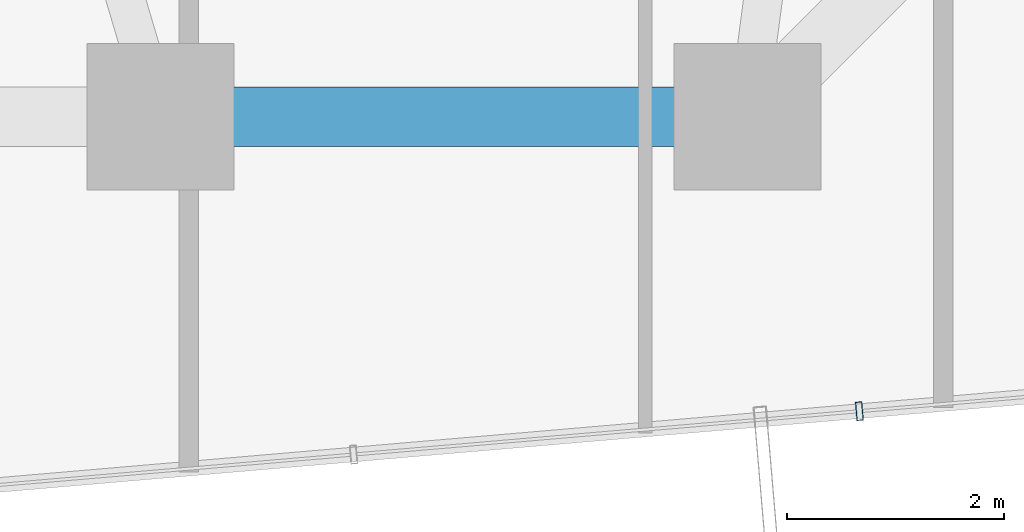
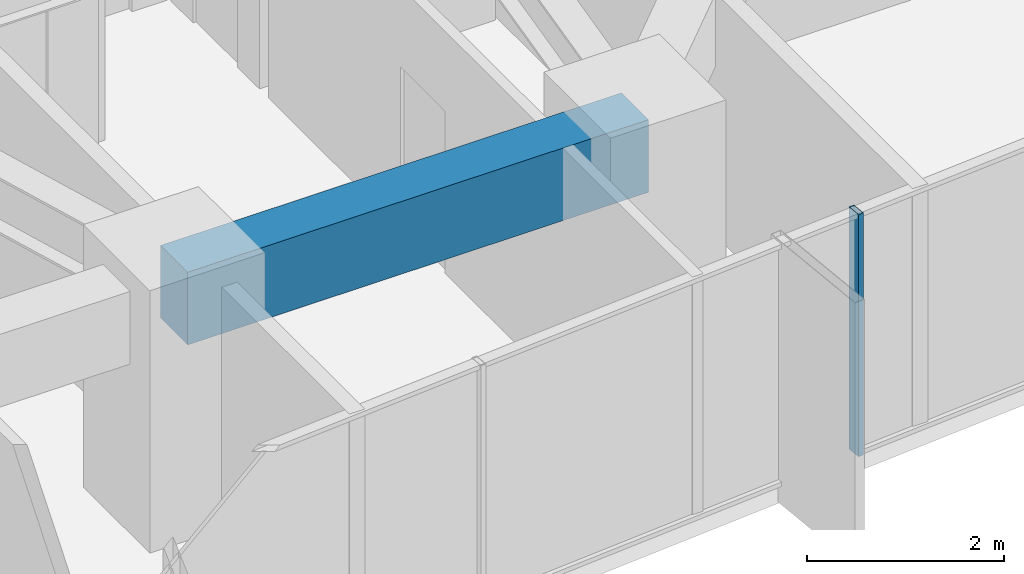
# One storey, part 8 of 37: 1 beam, 1 member, 1 element without a shape of its own.
"""IFC4 building model written with IfcOpenShell, lengths in metres."""

import ifcopenshell
import ifcopenshell.guid

model = None  # the IFC model being written
_history = None  # IfcOwnerHistory: only IFC2X3 demands one
_inside = {}  # id of a spatial element -> (the spatial element, [elements in it])
_under = {}  # id of a project, library or spatial element -> (it, [spatial elements below it])
_declared = {}  # id of a project -> (the project, [libraries it declares])
_typed = {}  # id of a type object -> (the type object, [elements of that type])
_made_of = {}  # id of a material, layer set ... -> (it, [elements and type objects made of it])


def new_model(schema):
    """Start an empty IFC model of exactly this schema.

    Asked for "IFC4X3", IfcOpenShell would pick the latest addendum, in which some entities
    have other attributes; the version numbers below select the first issue.
    IFC2X3 requires an IfcOwnerHistory on every rooted entity: one is made here for all.
    """
    global model, _history
    if schema == "IFC4X3":
        model = ifcopenshell.file(schema_version=(4, 3, 0, 0))
    else:
        model = ifcopenshell.file(schema=schema)
    _inside.clear()
    _under.clear()
    _declared.clear()
    _typed.clear()
    _made_of.clear()
    _history = None
    if model.schema == "IFC2X3":
        org = make("IfcOrganization", Name="unknown")
        user = make(
            "IfcPersonAndOrganization",
            ThePerson=make("IfcPerson", FamilyName="unknown"),
            TheOrganization=org,
        )
        app = make(
            "IfcApplication",
            ApplicationDeveloper=org,
            Version="unknown",
            ApplicationFullName="unknown",
            ApplicationIdentifier="unknown",
        )
        _history = make(
            "IfcOwnerHistory",
            OwningUser=user,
            OwningApplication=app,
            ChangeAction="ADDED",
            CreationDate=0,
        )
    return model


def make(cls, **values):
    """One entity of the class cls with the attributes given. An attribute that is None is left unset."""
    return model.create_entity(
        cls, **{name: value for name, value in values.items() if value is not None}
    )


def rooted(cls, **values):
    """An entity with a GlobalId (a new one), such as an element, a storey or a relation."""
    return make(cls, GlobalId=ifcopenshell.guid.new(), OwnerHistory=_history, **values)


def si_unit(unit_type, name, prefix=None):
    """IfcSIUnit, for example si_unit("LENGTHUNIT", "METRE", prefix="MILLI")."""
    return make("IfcSIUnit", UnitType=unit_type, Prefix=prefix, Name=name)


def assignment(units):
    """IfcUnitAssignment: the units of a project."""
    return None if units is None else make("IfcUnitAssignment", Units=units)


def point(xyz):
    """IfcCartesianPoint."""
    return None if xyz is None else make("IfcCartesianPoint", Coordinates=xyz)


def direction(xyz):
    """IfcDirection."""
    return None if xyz is None else make("IfcDirection", DirectionRatios=xyz)


def frame(location, z_axis=None, x_axis=None):
    """IfcAxis2Placement3D, a coordinate frame: its origin and axes. An axis left out is left unset."""
    return make(
        "IfcAxis2Placement3D",
        Location=point(location),
        Axis=direction(z_axis),
        RefDirection=direction(x_axis),
    )


def frame_2d(location, x_axis=None):
    """IfcAxis2Placement2D, a coordinate frame in the plane: its origin and x axis."""
    return make(
        "IfcAxis2Placement2D", Location=point(location), RefDirection=direction(x_axis)
    )


def origin():
    """The frame at (0, 0, 0) with its axes left unset."""
    return frame((0.0, 0.0, 0.0))


def origin_2d():
    """The frame at (0, 0) in the plane with its x axis left unset."""
    return frame_2d((0.0, 0.0))


def place(relative_to, where):
    """IfcLocalPlacement: puts the frame where relative to a parent placement (None: the world)."""
    return make(
        "IfcLocalPlacement", PlacementRelTo=relative_to, RelativePlacement=where
    )


def context(
    kind, dimensions, precision=None, world=None, true_north=None, identifier=None
):
    """IfcGeometricRepresentationContext, for example the 3D "Model" context."""
    return make(
        "IfcGeometricRepresentationContext",
        ContextIdentifier=identifier,
        ContextType=kind,
        CoordinateSpaceDimension=dimensions,
        Precision=precision,
        WorldCoordinateSystem=world,
        TrueNorth=true_north,
    )


def subcontext(parent, identifier, kind, view, scale=None):
    """IfcGeometricRepresentationSubContext, for example "Body" below "Model"."""
    return make(
        "IfcGeometricRepresentationSubContext",
        ContextIdentifier=identifier,
        ContextType=kind,
        ParentContext=parent,
        TargetScale=scale,
        TargetView=view,
    )


def project(units=None, contexts=None):
    """IfcProject with its units and contexts."""
    return rooted(
        "IfcProject",
        Name="project",
        RepresentationContexts=contexts,
        UnitsInContext=assignment(units),
    )


def spatial(cls, under=None, at=None, **own):
    """A site, building, storey or space (cls), placed at a placement, below another one or the project."""
    s = rooted(cls, ObjectPlacement=at, **own)
    if under is not None:
        _under.setdefault(under.id(), (under, []))[1].append(s)
    return s


def profile(cls, at=None, kind="AREA", **sizes):
    """A parametric profile (cls). Its sizes go by their IFC names, for example OverallWidth=200.0."""
    return make(cls, ProfileType=kind, Position=at, **sizes)


def rectangle(**sizes):
    """IfcRectangleProfileDef."""
    return profile("IfcRectangleProfileDef", **sizes)


def hollow_rectangle(**sizes):
    """IfcRectangleHollowProfileDef."""
    return profile("IfcRectangleHollowProfileDef", **sizes)


def extrude(swept, where, along, depth):
    """IfcExtrudedAreaSolid: the profile swept, set in the frame where, extruded along a direction by depth."""
    return make(
        "IfcExtrudedAreaSolid",
        SweptArea=swept,
        Position=where,
        ExtrudedDirection=direction(along),
        Depth=depth,
    )


def shape(context_of_items, identifier, shape_type, items):
    """IfcShapeRepresentation: the items that make up one representation, for example the "Body"."""
    return make(
        "IfcShapeRepresentation",
        ContextOfItems=context_of_items,
        RepresentationIdentifier=identifier,
        RepresentationType=shape_type,
        Items=items,
    )


def source(mapping_origin, context_of_items, identifier, shape_type, items):
    """IfcRepresentationMap: a shape defined once, which mapped items show again and again."""
    return make(
        "IfcRepresentationMap",
        MappingOrigin=mapping_origin,
        MappedRepresentation=shape(context_of_items, identifier, shape_type, items),
    )


def transform(
    local_origin,
    x_axis=None,
    y_axis=None,
    z_axis=None,
    scale=None,
    scale2=None,
    scale3=None,
    uniform=True,
):
    """IfcCartesianTransformationOperator3D, or its non-uniform kind. x_axis, y_axis, z_axis: its Axis1, 2, 3."""
    if uniform:
        return make(
            "IfcCartesianTransformationOperator3D",
            Axis1=direction(x_axis),
            Axis2=direction(y_axis),
            LocalOrigin=point(local_origin),
            Scale=scale,
            Axis3=direction(z_axis),
        )
    return make(
        "IfcCartesianTransformationOperator3DnonUniform",
        Axis1=direction(x_axis),
        Axis2=direction(y_axis),
        LocalOrigin=point(local_origin),
        Scale=scale,
        Axis3=direction(z_axis),
        Scale2=scale2,
        Scale3=scale3,
    )


def mapped(mapping_source, mapping_target):
    """IfcMappedItem: shows the shape of a source again, moved by a transform."""
    return make(
        "IfcMappedItem", MappingSource=mapping_source, MappingTarget=mapping_target
    )


def material(Name=None, Category=None):
    """IfcMaterial."""
    return make("IfcMaterial", Name=Name, Category=Category)


def layer(
    of_material, thickness, ventilated=None, Name=None, Category=None, Priority=None
):
    """IfcMaterialLayer: one layer of a wall or slab, of a material (None: an air gap)."""
    return make(
        "IfcMaterialLayer",
        Material=of_material,
        LayerThickness=thickness,
        IsVentilated=ventilated,
        Name=Name,
        Category=Category,
        Priority=Priority,
    )


def layer_set(layers, Name=None):
    """IfcMaterialLayerSet."""
    return make("IfcMaterialLayerSet", MaterialLayers=layers, LayerSetName=Name)


def material_profile(
    of_material, cross_section, Name=None, Category=None, Priority=None
):
    """IfcMaterialProfile: a cross section and its material."""
    return make(
        "IfcMaterialProfile",
        Name=Name,
        Material=of_material,
        Profile=cross_section,
        Priority=Priority,
        Category=Category,
    )


def profile_set(profiles, Name=None, composite=None):
    """IfcMaterialProfileSet."""
    return make(
        "IfcMaterialProfileSet",
        Name=Name,
        MaterialProfiles=profiles,
        CompositeProfile=composite,
    )


def made_of(thing, what):
    """Note that an element or type object is made of a material, layer set ...; save() writes the relation."""
    if what is not None:
        _made_of.setdefault(what.id(), (what, []))[1].append(thing)
    return thing


def type_object(cls, material=None, **own):
    """A type object (cls), such as IfcWallType, which elements share."""
    return made_of(rooted(cls, **own), material)


def element(
    cls,
    number,
    at=None,
    inside=None,
    cuts=None,
    type_object=None,
    material=None,
    context=None,
    identifier="Body",
    shape_type=None,
    held_by="IfcProductDefinitionShape",
    body=None,
    shapes=None,
    **own,
):
    """One element of the class cls, such as IfcWall. Its Tag is "e" and its number.

    at: its placement. inside: the storey or other place that contains it. cuts: it is an
    opening in that element (IfcRelVoidsElement). A single representation is given by context,
    identifier, shape_type and body (its items); several are given by shapes. held_by: the class
    of the entity that holds the representations. save() writes the other relations.
    """
    e = rooted(cls, Tag="e%d" % number, ObjectPlacement=at, **own)
    if body is not None:
        shapes = [shape(context, identifier, shape_type, body)]
    if shapes is not None:
        e.Representation = make(held_by, Representations=shapes)
    if inside is not None:
        _inside.setdefault(inside.id(), (inside, []))[1].append(e)
    if cuts is not None:
        rooted(
            "IfcRelVoidsElement", RelatingBuildingElement=cuts, RelatedOpeningElement=e
        )
    if type_object is not None:
        _typed.setdefault(type_object.id(), (type_object, []))[1].append(e)
    return made_of(e, material)


def aggregate(whole, parts):
    """IfcRelAggregates: a whole, such as a stair, and the parts it consists of."""
    return rooted("IfcRelAggregates", RelatingObject=whole, RelatedObjects=parts)


def save(model, path):
    """Write the relations noted so far, then the file.

    IfcRelAggregates (storeys below a building ...), IfcRelContainedInSpatialStructure (elements
    in a storey), IfcRelDefinesByType, IfcRelAssociatesMaterial and IfcRelDeclares: one each for
    every whole, place, type object, material and project.
    """
    for whole, parts in _under.values():
        aggregate(whole, parts)
    for where, things in _inside.values():
        rooted(
            "IfcRelContainedInSpatialStructure",
            RelatedElements=things,
            RelatingStructure=where,
        )
    for kind, things in _typed.values():
        rooted("IfcRelDefinesByType", RelatedObjects=things, RelatingType=kind)
    for what, things in _made_of.values():
        rooted("IfcRelAssociatesMaterial", RelatedObjects=things, RelatingMaterial=what)
    for by, libraries in _declared.values():
        rooted("IfcRelDeclares", RelatingContext=by, RelatedDefinitions=libraries)
    model.write(path)


model = new_model("IFC4")

# Units and contexts
model_context = context("Model", 3, precision=1e-05, world=origin(), true_north=direction((0.0, 1.0)))
body_context = subcontext(model_context, "Body", "Model", "MODEL_VIEW")
ifc_project = project(units=[si_unit("LENGTHUNIT", "METRE"), si_unit("AREAUNIT", "SQUARE_METRE"), si_unit("VOLUMEUNIT", "CUBIC_METRE"), si_unit("PLANEANGLEUNIT", "RADIAN"), si_unit("MASSUNIT", "GRAM", prefix="KILO")], contexts=[model_context])

# Site, building, storey
site_placement = place(None, origin())
site = spatial("IfcSite", under=ifc_project, at=site_placement, CompositionType="ELEMENT")
building_placement = place(site_placement, origin())
building = spatial("IfcBuilding", under=site, at=building_placement, Name="Veraguas Prism Commons", CompositionType="ELEMENT")
storey_placement = place(building_placement, frame((0.0, 0.0, 40.300048828125)))
storey = spatial("IfcBuildingStorey", under=building, at=storey_placement, Name="L10", CompositionType="ELEMENT", Elevation=40.300048828125)

# Beam
ifc_material_1 = material(Name="Concrete C50/60", Category="concrete")
ifc_material_profile_1 = material_profile(ifc_material_1, rectangle(XDim=0.550048828125, YDim=0.89990234375, at=origin_2d()), Name="RC550X900")
ifc_profile_set_1 = profile_set([ifc_material_profile_1], Name="Concrete C50/60")
beam_type = type_object("IfcBeamType", Name="Perimeter Spandrel Lower RC 550x900", PredefinedType="SPANDREL", material=ifc_profile_set_1)
beam_placement = place(storey_placement, frame((24.0, 6.39990234375, 2.550048828125), z_axis=(1.0, 0.0, 0.0), x_axis=(0.0, 1.0, 0.0)))
element("IfcBeam", 1, at=beam_placement, inside=storey, type_object=beam_type, Name="Perimeter Spandrel Beam L10-SP11", PredefinedType="SPANDREL", context=body_context, shape_type="SweptSolid", body=[
    extrude(rectangle(XDim=0.550048828125, YDim=0.89990234375, at=origin_2d()), origin(), (0.0, 0.0, 1.0), 5.39990234375),
])

# Curtain wall, member
ifc_material_2 = material(Name="Anodised aluminium EN AW-6063 T6", Category="aluminium")
ifc_layer = layer(ifc_material_2, 0.169921875, Name="Unitised Flush Curtain Wall Zone 1", Category="aluminium")
ifc_layer_set = layer_set([ifc_layer], Name="Anodised aluminium EN AW-6063 T6")
curtain_wall_type = type_object("IfcCurtainWallType", Name="Unitised Flush Curtain Wall Zone 1", PredefinedType="NOTDEFINED", material=ifc_layer_set)
curtain_wall_placement = place(storey_placement, origin())
curtain_wall = element("IfcCurtainWall", 2, at=curtain_wall_placement, inside=storey, type_object=curtain_wall_type, Name="Tower Facade Curtain Wall L10-F5", PredefinedType="NOTDEFINED")
ifc_material_profile_2 = material_profile(ifc_material_2, hollow_rectangle(XDim=0.06005859375, YDim=0.169921875, WallThickness=0.00390625, at=origin_2d()), Name="AL60X170X4")
ifc_profile_set_2 = profile_set([ifc_material_profile_2], Name="Anodised aluminium EN AW-6063 T6")
member_type = type_object("IfcMemberType", Name="Curtain Wall Mullion Lower AL 60x170x4", PredefinedType="MULLION", material=ifc_profile_set_2)
shared_shape = source(origin(), body_context, "Body", "SweptSolid", [
    extrude(hollow_rectangle(XDim=0.06005859375, YDim=0.169921875, WallThickness=0.00390625, at=origin_2d()), origin(), (0.0, 0.0, 1.0), 3.0),
])
member_placement = place(storey_placement, frame((30.42919921875, 3.6904296875, 0.0), z_axis=(0.0, 0.0, 1.0), x_axis=(0.996345296191, 0.085416923137, 0.0)))
member = element("IfcMember", 3, at=member_placement, type_object=member_type, Name="CW-Z1 Mullion 4", PredefinedType="MULLION", context=body_context, shape_type="MappedRepresentation", body=[
    mapped(shared_shape, transform((0.0, 0.0, 0.0), scale=1.0)),
])
aggregate(curtain_wall, [member])

save(model, "model.ifc")
